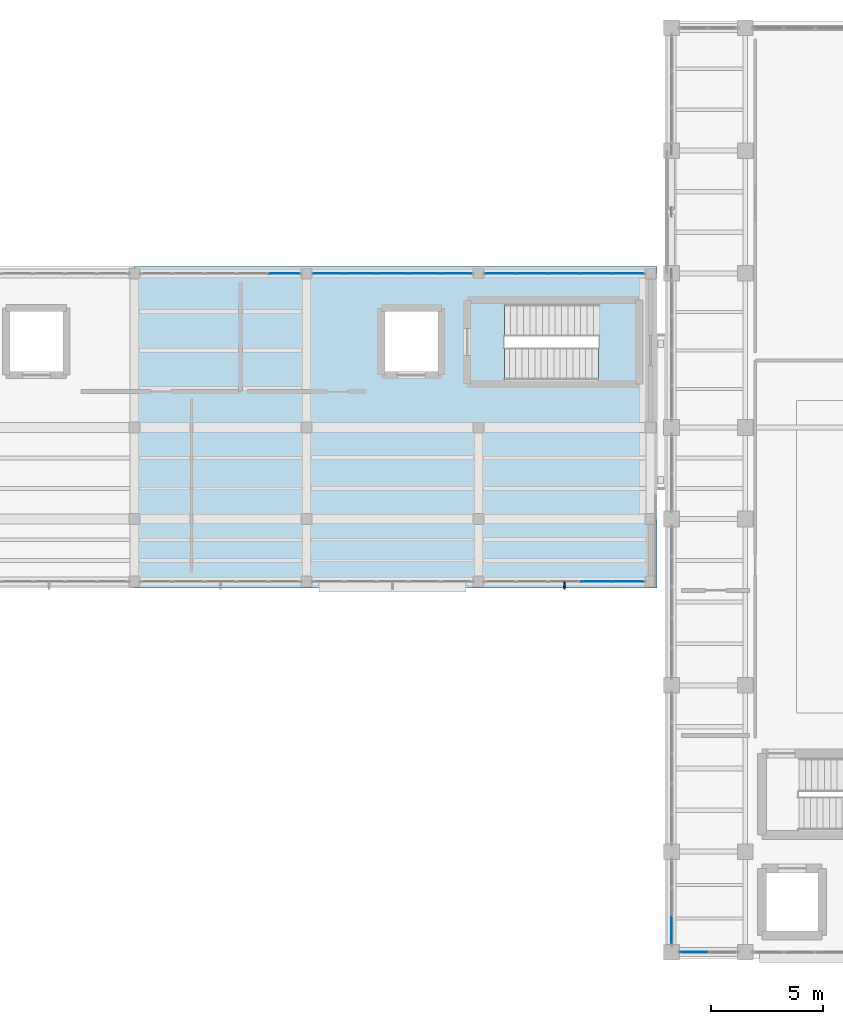
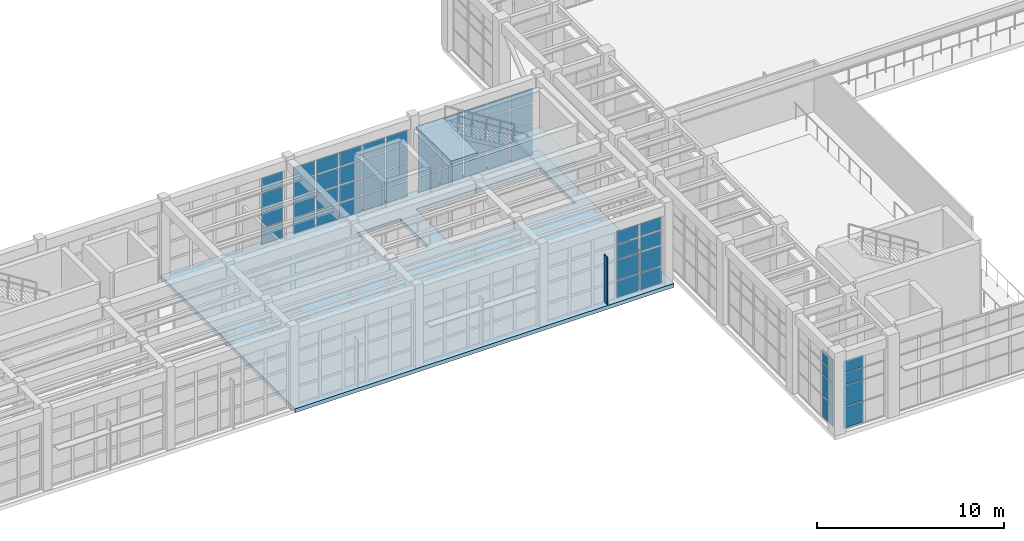
# One storey, part 72 of 103: 61 plates, 3 slabs, 7 elements without a shape of their own.
"""IFC4 building model written with IfcOpenShell, lengths in metres."""

from ifc_helpers import new_model, si_unit, direction, frame, origin, origin_2d, place, context, subcontext, project, spatial, polyline, rectangle, outline, extrude, material, layer, layer_set, type_object, element, aggregate, save


model = new_model("IFC4")

# Units and contexts
model_context = context("Model", 3, precision=1e-05, world=origin(), true_north=direction((0.0, 1.0)))
body_context = subcontext(model_context, "Body", "Model", "MODEL_VIEW")
ifc_project = project(units=[si_unit("LENGTHUNIT", "METRE"), si_unit("AREAUNIT", "SQUARE_METRE"), si_unit("VOLUMEUNIT", "CUBIC_METRE"), si_unit("PLANEANGLEUNIT", "RADIAN"), si_unit("MASSUNIT", "GRAM", prefix="KILO")], contexts=[model_context])

# Site, building, storey
site_placement = place(None, origin())
site = spatial("IfcSite", under=ifc_project, at=site_placement, CompositionType="ELEMENT")
building_placement = place(site_placement, origin())
building = spatial("IfcBuilding", under=site, at=building_placement, Name="Candilejo Ridge Gondola Terminal", CompositionType="ELEMENT")
storey_placement = place(building_placement, frame((0.0, 0.0, 9.0)))
storey = spatial("IfcBuildingStorey", under=building, at=storey_placement, Name="L02", CompositionType="ELEMENT", Elevation=9.0)

# Curtain wall, plates
ifc_material_1 = material(Name="Anodised aluminium AA 6063-T6", Category="aluminium")
ifc_layer_1 = layer(ifc_material_1, 0.169921875)
ifc_layer_set_1 = layer_set([ifc_layer_1], Name="ARC-CW-GALLERY-3200-720X449")
curtain_wall_type_1 = type_object("IfcCurtainWallType", Name="ARC-CW-GALLERY-3200-720X449", PredefinedType="NOTDEFINED", material=ifc_layer_set_1)
curtain_wall_1_placement = place(storey_placement, origin())
curtain_wall_1 = element("IfcCurtainWall", 1, at=curtain_wall_1_placement, inside=storey, type_object=curtain_wall_type_1, Name="Curtain wall V3 L02-088", PredefinedType="NOTDEFINED")
ifc_material_2 = material(Name="Low-E laminated double glazing 6+12A+6+1.52PVB+6 mm", Category="glass")
ifc_layer_2 = layer(ifc_material_2, 0.028076171875)
ifc_layer_set_2 = layer_set([ifc_layer_2], Name="ARC-CW-GLAZ-PANEL")
plate_type_1 = type_object("IfcPlateType", Name="ARC-CW-GLAZ-PANEL", PredefinedType="CURTAIN_PANEL", material=ifc_layer_set_2)
plate_1_placement = place(storey_placement, frame((116.561279296875, 36.699951171875, 0.0751953125), z_axis=(0.0, 0.0, 1.0), x_axis=(1.0, 0.0, 0.0)))
plate_1 = element("IfcPlate", 2, at=plate_1_placement, type_object=plate_type_1, Name="CW-72X44 panel 5.1", PredefinedType="CURTAIN_PANEL", context=body_context, shape_type="SweptSolid", body=[
    extrude(rectangle(XDim=1.327392578125, YDim=0.028076171875, at=origin_2d()), origin(), (0.0, 0.0, 1.0), 0.987548828125),
])
plate_2_placement = place(storey_placement, frame((116.561279296875, 36.699951171875, 1.1376953125), z_axis=(0.0, 0.0, 1.0), x_axis=(1.0, 0.0, 0.0)))
plate_2 = element("IfcPlate", 3, at=plate_2_placement, type_object=plate_type_1, Name="CW-72X44 panel 5.2", PredefinedType="CURTAIN_PANEL", context=body_context, shape_type="SweptSolid", body=[
    extrude(rectangle(XDim=1.327392578125, YDim=0.028076171875, at=origin_2d()), origin(), (0.0, 0.0, 1.0), 1.074951171875),
])
plate_3_placement = place(storey_placement, frame((116.561279296875, 36.699951171875, 2.28759765625), z_axis=(0.0, 0.0, 1.0), x_axis=(1.0, 0.0, 0.0)))
plate_3 = element("IfcPlate", 4, at=plate_3_placement, type_object=plate_type_1, Name="CW-72X44 panel 5.3", PredefinedType="CURTAIN_PANEL", context=body_context, shape_type="SweptSolid", body=[
    extrude(rectangle(XDim=1.327392578125, YDim=0.028076171875, at=origin_2d()), origin(), (0.0, 0.0, 1.0), 1.125),
])
plate_4_placement = place(storey_placement, frame((116.561279296875, 36.699951171875, 3.4873046875), z_axis=(0.0, 0.0, 1.0), x_axis=(1.0, 0.0, 0.0)))
plate_4 = element("IfcPlate", 5, at=plate_4_placement, type_object=plate_type_1, Name="CW-72X44 panel 5.4", PredefinedType="CURTAIN_PANEL", context=body_context, shape_type="SweptSolid", body=[
    extrude(rectangle(XDim=1.327392578125, YDim=0.028076171875, at=origin_2d()), origin(), (0.0, 0.0, 1.0), 0.927490234375),
])
aggregate(curtain_wall_1, [plate_1, plate_2, plate_3, plate_4])

curtain_wall_2_placement = place(storey_placement, origin())
curtain_wall_2 = element("IfcCurtainWall", 6, at=curtain_wall_2_placement, inside=storey, type_object=curtain_wall_type_1, Name="Curtain wall V3 L02-090", PredefinedType="NOTDEFINED")
plate_5_placement = place(storey_placement, frame((118.538818359375, 36.699951171875, 0.0751953125), z_axis=(0.0, 0.0, 1.0), x_axis=(1.0, 0.0, 0.0)))
plate_5 = element("IfcPlate", 7, at=plate_5_placement, type_object=plate_type_1, Name="CW-72X44 panel 1.1", PredefinedType="CURTAIN_PANEL", context=body_context, shape_type="SweptSolid", body=[
    extrude(rectangle(XDim=1.327392578125, YDim=0.028076171875, at=origin_2d()), origin(), (0.0, 0.0, 1.0), 0.987548828125),
])
plate_6_placement = place(storey_placement, frame((118.538818359375, 36.699951171875, 1.1376953125), z_axis=(0.0, 0.0, 1.0), x_axis=(1.0, 0.0, 0.0)))
plate_6 = element("IfcPlate", 8, at=plate_6_placement, type_object=plate_type_1, Name="CW-72X44 panel 1.2", PredefinedType="CURTAIN_PANEL", context=body_context, shape_type="SweptSolid", body=[
    extrude(rectangle(XDim=1.327392578125, YDim=0.028076171875, at=origin_2d()), origin(), (0.0, 0.0, 1.0), 1.074951171875),
])
plate_7_placement = place(storey_placement, frame((118.538818359375, 36.699951171875, 2.28759765625), z_axis=(0.0, 0.0, 1.0), x_axis=(1.0, 0.0, 0.0)))
plate_7 = element("IfcPlate", 9, at=plate_7_placement, type_object=plate_type_1, Name="CW-72X44 panel 1.3", PredefinedType="CURTAIN_PANEL", context=body_context, shape_type="SweptSolid", body=[
    extrude(rectangle(XDim=1.327392578125, YDim=0.028076171875, at=origin_2d()), origin(), (0.0, 0.0, 1.0), 1.125),
])
plate_8_placement = place(storey_placement, frame((118.538818359375, 36.699951171875, 3.4873046875), z_axis=(0.0, 0.0, 1.0), x_axis=(1.0, 0.0, 0.0)))
plate_8 = element("IfcPlate", 10, at=plate_8_placement, type_object=plate_type_1, Name="CW-72X44 panel 1.4", PredefinedType="CURTAIN_PANEL", context=body_context, shape_type="SweptSolid", body=[
    extrude(rectangle(XDim=1.327392578125, YDim=0.028076171875, at=origin_2d()), origin(), (0.0, 0.0, 1.0), 0.927490234375),
])
plate_9_placement = place(storey_placement, frame((119.9599609375, 36.699951171875, 0.0751953125), z_axis=(0.0, 0.0, 1.0), x_axis=(1.0, 0.0, 0.0)))
plate_9 = element("IfcPlate", 11, at=plate_9_placement, type_object=plate_type_1, Name="CW-72X44 panel 2.1", PredefinedType="CURTAIN_PANEL", context=body_context, shape_type="SweptSolid", body=[
    extrude(rectangle(XDim=1.364990234375, YDim=0.028076171875, at=origin_2d()), origin(), (0.0, 0.0, 1.0), 0.987548828125),
])
plate_10_placement = place(storey_placement, frame((119.9599609375, 36.699951171875, 1.1376953125), z_axis=(0.0, 0.0, 1.0), x_axis=(1.0, 0.0, 0.0)))
plate_10 = element("IfcPlate", 12, at=plate_10_placement, type_object=plate_type_1, Name="CW-72X44 panel 2.2", PredefinedType="CURTAIN_PANEL", context=body_context, shape_type="SweptSolid", body=[
    extrude(rectangle(XDim=1.364990234375, YDim=0.028076171875, at=origin_2d()), origin(), (0.0, 0.0, 1.0), 1.074951171875),
])
plate_11_placement = place(storey_placement, frame((119.9599609375, 36.699951171875, 2.28759765625), z_axis=(0.0, 0.0, 1.0), x_axis=(1.0, 0.0, 0.0)))
plate_11 = element("IfcPlate", 13, at=plate_11_placement, type_object=plate_type_1, Name="CW-72X44 panel 2.3", PredefinedType="CURTAIN_PANEL", context=body_context, shape_type="SweptSolid", body=[
    extrude(rectangle(XDim=1.364990234375, YDim=0.028076171875, at=origin_2d()), origin(), (0.0, 0.0, 1.0), 1.125),
])
plate_12_placement = place(storey_placement, frame((119.9599609375, 36.699951171875, 3.4873046875), z_axis=(0.0, 0.0, 1.0), x_axis=(1.0, 0.0, 0.0)))
plate_12 = element("IfcPlate", 14, at=plate_12_placement, type_object=plate_type_1, Name="CW-72X44 panel 2.4", PredefinedType="CURTAIN_PANEL", context=body_context, shape_type="SweptSolid", body=[
    extrude(rectangle(XDim=1.364990234375, YDim=0.028076171875, at=origin_2d()), origin(), (0.0, 0.0, 1.0), 0.927490234375),
])
plate_13_placement = place(storey_placement, frame((121.39990234375, 36.699951171875, 0.0751953125), z_axis=(0.0, 0.0, 1.0), x_axis=(1.0, 0.0, 0.0)))
plate_13 = element("IfcPlate", 15, at=plate_13_placement, type_object=plate_type_1, Name="CW-72X44 panel 3.1", PredefinedType="CURTAIN_PANEL", context=body_context, shape_type="SweptSolid", body=[
    extrude(rectangle(XDim=1.364990234375, YDim=0.028076171875, at=origin_2d()), origin(), (0.0, 0.0, 1.0), 0.987548828125),
])
plate_14_placement = place(storey_placement, frame((121.39990234375, 36.699951171875, 1.1376953125), z_axis=(0.0, 0.0, 1.0), x_axis=(1.0, 0.0, 0.0)))
plate_14 = element("IfcPlate", 16, at=plate_14_placement, type_object=plate_type_1, Name="CW-72X44 panel 3.2", PredefinedType="CURTAIN_PANEL", context=body_context, shape_type="SweptSolid", body=[
    extrude(rectangle(XDim=1.364990234375, YDim=0.028076171875, at=origin_2d()), origin(), (0.0, 0.0, 1.0), 1.074951171875),
])
plate_15_placement = place(storey_placement, frame((121.39990234375, 36.699951171875, 2.28759765625), z_axis=(0.0, 0.0, 1.0), x_axis=(1.0, 0.0, 0.0)))
plate_15 = element("IfcPlate", 17, at=plate_15_placement, type_object=plate_type_1, Name="CW-72X44 panel 3.3", PredefinedType="CURTAIN_PANEL", context=body_context, shape_type="SweptSolid", body=[
    extrude(rectangle(XDim=1.364990234375, YDim=0.028076171875, at=origin_2d()), origin(), (0.0, 0.0, 1.0), 1.125),
])
plate_16_placement = place(storey_placement, frame((121.39990234375, 36.699951171875, 3.4873046875), z_axis=(0.0, 0.0, 1.0), x_axis=(1.0, 0.0, 0.0)))
plate_16 = element("IfcPlate", 18, at=plate_16_placement, type_object=plate_type_1, Name="CW-72X44 panel 3.4", PredefinedType="CURTAIN_PANEL", context=body_context, shape_type="SweptSolid", body=[
    extrude(rectangle(XDim=1.364990234375, YDim=0.028076171875, at=origin_2d()), origin(), (0.0, 0.0, 1.0), 0.927490234375),
])
plate_17_placement = place(storey_placement, frame((122.840087890625, 36.699951171875, 0.0751953125), z_axis=(0.0, 0.0, 1.0), x_axis=(1.0, 0.0, 0.0)))
plate_17 = element("IfcPlate", 19, at=plate_17_placement, type_object=plate_type_1, Name="CW-72X44 panel 4.1", PredefinedType="CURTAIN_PANEL", context=body_context, shape_type="SweptSolid", body=[
    extrude(rectangle(XDim=1.364990234375, YDim=0.028076171875, at=origin_2d()), origin(), (0.0, 0.0, 1.0), 0.987548828125),
])
plate_18_placement = place(storey_placement, frame((122.840087890625, 36.699951171875, 1.1376953125), z_axis=(0.0, 0.0, 1.0), x_axis=(1.0, 0.0, 0.0)))
plate_18 = element("IfcPlate", 20, at=plate_18_placement, type_object=plate_type_1, Name="CW-72X44 panel 4.2", PredefinedType="CURTAIN_PANEL", context=body_context, shape_type="SweptSolid", body=[
    extrude(rectangle(XDim=1.364990234375, YDim=0.028076171875, at=origin_2d()), origin(), (0.0, 0.0, 1.0), 1.074951171875),
])
plate_19_placement = place(storey_placement, frame((122.840087890625, 36.699951171875, 2.28759765625), z_axis=(0.0, 0.0, 1.0), x_axis=(1.0, 0.0, 0.0)))
plate_19 = element("IfcPlate", 21, at=plate_19_placement, type_object=plate_type_1, Name="CW-72X44 panel 4.3", PredefinedType="CURTAIN_PANEL", context=body_context, shape_type="SweptSolid", body=[
    extrude(rectangle(XDim=1.364990234375, YDim=0.028076171875, at=origin_2d()), origin(), (0.0, 0.0, 1.0), 1.125),
])
plate_20_placement = place(storey_placement, frame((122.840087890625, 36.699951171875, 3.4873046875), z_axis=(0.0, 0.0, 1.0), x_axis=(1.0, 0.0, 0.0)))
plate_20 = element("IfcPlate", 22, at=plate_20_placement, type_object=plate_type_1, Name="CW-72X44 panel 4.4", PredefinedType="CURTAIN_PANEL", context=body_context, shape_type="SweptSolid", body=[
    extrude(rectangle(XDim=1.364990234375, YDim=0.028076171875, at=origin_2d()), origin(), (0.0, 0.0, 1.0), 0.927490234375),
])
plate_21_placement = place(storey_placement, frame((124.26123046875, 36.699951171875, 0.0751953125), z_axis=(0.0, 0.0, 1.0), x_axis=(1.0, 0.0, 0.0)))
plate_21 = element("IfcPlate", 23, at=plate_21_placement, type_object=plate_type_1, Name="CW-72X44 panel 5.1", PredefinedType="CURTAIN_PANEL", context=body_context, shape_type="SweptSolid", body=[
    extrude(rectangle(XDim=1.327392578125, YDim=0.028076171875, at=origin_2d()), origin(), (0.0, 0.0, 1.0), 0.987548828125),
])
plate_22_placement = place(storey_placement, frame((124.26123046875, 36.699951171875, 1.1376953125), z_axis=(0.0, 0.0, 1.0), x_axis=(1.0, 0.0, 0.0)))
plate_22 = element("IfcPlate", 24, at=plate_22_placement, type_object=plate_type_1, Name="CW-72X44 panel 5.2", PredefinedType="CURTAIN_PANEL", context=body_context, shape_type="SweptSolid", body=[
    extrude(rectangle(XDim=1.327392578125, YDim=0.028076171875, at=origin_2d()), origin(), (0.0, 0.0, 1.0), 1.074951171875),
])
plate_23_placement = place(storey_placement, frame((124.26123046875, 36.699951171875, 2.28759765625), z_axis=(0.0, 0.0, 1.0), x_axis=(1.0, 0.0, 0.0)))
plate_23 = element("IfcPlate", 25, at=plate_23_placement, type_object=plate_type_1, Name="CW-72X44 panel 5.3", PredefinedType="CURTAIN_PANEL", context=body_context, shape_type="SweptSolid", body=[
    extrude(rectangle(XDim=1.327392578125, YDim=0.028076171875, at=origin_2d()), origin(), (0.0, 0.0, 1.0), 1.125),
])
plate_24_placement = place(storey_placement, frame((124.26123046875, 36.699951171875, 3.4873046875), z_axis=(0.0, 0.0, 1.0), x_axis=(1.0, 0.0, 0.0)))
plate_24 = element("IfcPlate", 26, at=plate_24_placement, type_object=plate_type_1, Name="CW-72X44 panel 5.4", PredefinedType="CURTAIN_PANEL", context=body_context, shape_type="SweptSolid", body=[
    extrude(rectangle(XDim=1.327392578125, YDim=0.028076171875, at=origin_2d()), origin(), (0.0, 0.0, 1.0), 0.927490234375),
])
aggregate(curtain_wall_2, [plate_5, plate_6, plate_7, plate_8, plate_9, plate_10, plate_11, plate_12, plate_13, plate_14, plate_15, plate_16, plate_17, plate_18, plate_19, plate_20, plate_21, plate_22, plate_23, plate_24])

curtain_wall_3_placement = place(storey_placement, origin())
curtain_wall_3 = element("IfcCurtainWall", 27, at=curtain_wall_3_placement, inside=storey, type_object=curtain_wall_type_1, Name="Curtain wall V3 L02-092", PredefinedType="NOTDEFINED")
plate_25_placement = place(storey_placement, frame((126.23876953125, 36.699951171875, 0.0751953125), z_axis=(0.0, 0.0, 1.0), x_axis=(1.0, 0.0, 0.0)))
plate_25 = element("IfcPlate", 28, at=plate_25_placement, type_object=plate_type_1, Name="CW-72X44 panel 1.1", PredefinedType="CURTAIN_PANEL", context=body_context, shape_type="SweptSolid", body=[
    extrude(rectangle(XDim=1.327392578125, YDim=0.028076171875, at=origin_2d()), origin(), (0.0, 0.0, 1.0), 0.987548828125),
])
plate_26_placement = place(storey_placement, frame((126.23876953125, 36.699951171875, 1.1376953125), z_axis=(0.0, 0.0, 1.0), x_axis=(1.0, 0.0, 0.0)))
plate_26 = element("IfcPlate", 29, at=plate_26_placement, type_object=plate_type_1, Name="CW-72X44 panel 1.2", PredefinedType="CURTAIN_PANEL", context=body_context, shape_type="SweptSolid", body=[
    extrude(rectangle(XDim=1.327392578125, YDim=0.028076171875, at=origin_2d()), origin(), (0.0, 0.0, 1.0), 1.074951171875),
])
plate_27_placement = place(storey_placement, frame((126.23876953125, 36.699951171875, 2.28759765625), z_axis=(0.0, 0.0, 1.0), x_axis=(1.0, 0.0, 0.0)))
plate_27 = element("IfcPlate", 30, at=plate_27_placement, type_object=plate_type_1, Name="CW-72X44 panel 1.3", PredefinedType="CURTAIN_PANEL", context=body_context, shape_type="SweptSolid", body=[
    extrude(rectangle(XDim=1.327392578125, YDim=0.028076171875, at=origin_2d()), origin(), (0.0, 0.0, 1.0), 1.125),
])
plate_28_placement = place(storey_placement, frame((126.23876953125, 36.699951171875, 3.4873046875), z_axis=(0.0, 0.0, 1.0), x_axis=(1.0, 0.0, 0.0)))
plate_28 = element("IfcPlate", 31, at=plate_28_placement, type_object=plate_type_1, Name="CW-72X44 panel 1.4", PredefinedType="CURTAIN_PANEL", context=body_context, shape_type="SweptSolid", body=[
    extrude(rectangle(XDim=1.327392578125, YDim=0.028076171875, at=origin_2d()), origin(), (0.0, 0.0, 1.0), 0.927490234375),
])
plate_29_placement = place(storey_placement, frame((127.659912109375, 36.699951171875, 0.0751953125), z_axis=(0.0, 0.0, 1.0), x_axis=(1.0, 0.0, 0.0)))
plate_29 = element("IfcPlate", 32, at=plate_29_placement, type_object=plate_type_1, Name="CW-72X44 panel 2.1", PredefinedType="CURTAIN_PANEL", context=body_context, shape_type="SweptSolid", body=[
    extrude(rectangle(XDim=1.364990234375, YDim=0.028076171875, at=origin_2d()), origin(), (0.0, 0.0, 1.0), 0.987548828125),
])
plate_30_placement = place(storey_placement, frame((127.659912109375, 36.699951171875, 1.1376953125), z_axis=(0.0, 0.0, 1.0), x_axis=(1.0, 0.0, 0.0)))
plate_30 = element("IfcPlate", 33, at=plate_30_placement, type_object=plate_type_1, Name="CW-72X44 panel 2.2", PredefinedType="CURTAIN_PANEL", context=body_context, shape_type="SweptSolid", body=[
    extrude(rectangle(XDim=1.364990234375, YDim=0.028076171875, at=origin_2d()), origin(), (0.0, 0.0, 1.0), 1.074951171875),
])
plate_31_placement = place(storey_placement, frame((127.659912109375, 36.699951171875, 2.28759765625), z_axis=(0.0, 0.0, 1.0), x_axis=(1.0, 0.0, 0.0)))
plate_31 = element("IfcPlate", 34, at=plate_31_placement, type_object=plate_type_1, Name="CW-72X44 panel 2.3", PredefinedType="CURTAIN_PANEL", context=body_context, shape_type="SweptSolid", body=[
    extrude(rectangle(XDim=1.364990234375, YDim=0.028076171875, at=origin_2d()), origin(), (0.0, 0.0, 1.0), 1.125),
])
plate_32_placement = place(storey_placement, frame((127.659912109375, 36.699951171875, 3.4873046875), z_axis=(0.0, 0.0, 1.0), x_axis=(1.0, 0.0, 0.0)))
plate_32 = element("IfcPlate", 35, at=plate_32_placement, type_object=plate_type_1, Name="CW-72X44 panel 2.4", PredefinedType="CURTAIN_PANEL", context=body_context, shape_type="SweptSolid", body=[
    extrude(rectangle(XDim=1.364990234375, YDim=0.028076171875, at=origin_2d()), origin(), (0.0, 0.0, 1.0), 0.927490234375),
])
plate_33_placement = place(storey_placement, frame((129.10009765625, 36.699951171875, 0.0751953125), z_axis=(0.0, 0.0, 1.0), x_axis=(1.0, 0.0, 0.0)))
plate_33 = element("IfcPlate", 36, at=plate_33_placement, type_object=plate_type_1, Name="CW-72X44 panel 3.1", PredefinedType="CURTAIN_PANEL", context=body_context, shape_type="SweptSolid", body=[
    extrude(rectangle(XDim=1.364990234375, YDim=0.028076171875, at=origin_2d()), origin(), (0.0, 0.0, 1.0), 0.987548828125),
])
plate_34_placement = place(storey_placement, frame((129.10009765625, 36.699951171875, 1.1376953125), z_axis=(0.0, 0.0, 1.0), x_axis=(1.0, 0.0, 0.0)))
plate_34 = element("IfcPlate", 37, at=plate_34_placement, type_object=plate_type_1, Name="CW-72X44 panel 3.2", PredefinedType="CURTAIN_PANEL", context=body_context, shape_type="SweptSolid", body=[
    extrude(rectangle(XDim=1.364990234375, YDim=0.028076171875, at=origin_2d()), origin(), (0.0, 0.0, 1.0), 1.074951171875),
])
plate_35_placement = place(storey_placement, frame((129.10009765625, 36.699951171875, 2.28759765625), z_axis=(0.0, 0.0, 1.0), x_axis=(1.0, 0.0, 0.0)))
plate_35 = element("IfcPlate", 38, at=plate_35_placement, type_object=plate_type_1, Name="CW-72X44 panel 3.3", PredefinedType="CURTAIN_PANEL", context=body_context, shape_type="SweptSolid", body=[
    extrude(rectangle(XDim=1.364990234375, YDim=0.028076171875, at=origin_2d()), origin(), (0.0, 0.0, 1.0), 1.125),
])
plate_36_placement = place(storey_placement, frame((129.10009765625, 36.699951171875, 3.4873046875), z_axis=(0.0, 0.0, 1.0), x_axis=(1.0, 0.0, 0.0)))
plate_36 = element("IfcPlate", 39, at=plate_36_placement, type_object=plate_type_1, Name="CW-72X44 panel 3.4", PredefinedType="CURTAIN_PANEL", context=body_context, shape_type="SweptSolid", body=[
    extrude(rectangle(XDim=1.364990234375, YDim=0.028076171875, at=origin_2d()), origin(), (0.0, 0.0, 1.0), 0.927490234375),
])
plate_37_placement = place(storey_placement, frame((130.5400390625, 36.699951171875, 0.0751953125), z_axis=(0.0, 0.0, 1.0), x_axis=(1.0, 0.0, 0.0)))
plate_37 = element("IfcPlate", 40, at=plate_37_placement, type_object=plate_type_1, Name="CW-72X44 panel 4.1", PredefinedType="CURTAIN_PANEL", context=body_context, shape_type="SweptSolid", body=[
    extrude(rectangle(XDim=1.364990234375, YDim=0.028076171875, at=origin_2d()), origin(), (0.0, 0.0, 1.0), 0.987548828125),
])
plate_38_placement = place(storey_placement, frame((130.5400390625, 36.699951171875, 1.1376953125), z_axis=(0.0, 0.0, 1.0), x_axis=(1.0, 0.0, 0.0)))
plate_38 = element("IfcPlate", 41, at=plate_38_placement, type_object=plate_type_1, Name="CW-72X44 panel 4.2", PredefinedType="CURTAIN_PANEL", context=body_context, shape_type="SweptSolid", body=[
    extrude(rectangle(XDim=1.364990234375, YDim=0.028076171875, at=origin_2d()), origin(), (0.0, 0.0, 1.0), 1.074951171875),
])
plate_39_placement = place(storey_placement, frame((130.5400390625, 36.699951171875, 2.28759765625), z_axis=(0.0, 0.0, 1.0), x_axis=(1.0, 0.0, 0.0)))
plate_39 = element("IfcPlate", 42, at=plate_39_placement, type_object=plate_type_1, Name="CW-72X44 panel 4.3", PredefinedType="CURTAIN_PANEL", context=body_context, shape_type="SweptSolid", body=[
    extrude(rectangle(XDim=1.364990234375, YDim=0.028076171875, at=origin_2d()), origin(), (0.0, 0.0, 1.0), 1.125),
])
plate_40_placement = place(storey_placement, frame((130.5400390625, 36.699951171875, 3.4873046875), z_axis=(0.0, 0.0, 1.0), x_axis=(1.0, 0.0, 0.0)))
plate_40 = element("IfcPlate", 43, at=plate_40_placement, type_object=plate_type_1, Name="CW-72X44 panel 4.4", PredefinedType="CURTAIN_PANEL", context=body_context, shape_type="SweptSolid", body=[
    extrude(rectangle(XDim=1.364990234375, YDim=0.028076171875, at=origin_2d()), origin(), (0.0, 0.0, 1.0), 0.927490234375),
])
plate_41_placement = place(storey_placement, frame((131.961181640625, 36.699951171875, 0.0751953125), z_axis=(0.0, 0.0, 1.0), x_axis=(1.0, 0.0, 0.0)))
plate_41 = element("IfcPlate", 44, at=plate_41_placement, type_object=plate_type_1, Name="CW-72X44 panel 5.1", PredefinedType="CURTAIN_PANEL", context=body_context, shape_type="SweptSolid", body=[
    extrude(rectangle(XDim=1.327392578125, YDim=0.028076171875, at=origin_2d()), origin(), (0.0, 0.0, 1.0), 0.987548828125),
])
plate_42_placement = place(storey_placement, frame((131.961181640625, 36.699951171875, 1.1376953125), z_axis=(0.0, 0.0, 1.0), x_axis=(1.0, 0.0, 0.0)))
plate_42 = element("IfcPlate", 45, at=plate_42_placement, type_object=plate_type_1, Name="CW-72X44 panel 5.2", PredefinedType="CURTAIN_PANEL", context=body_context, shape_type="SweptSolid", body=[
    extrude(rectangle(XDim=1.327392578125, YDim=0.028076171875, at=origin_2d()), origin(), (0.0, 0.0, 1.0), 1.074951171875),
])
plate_43_placement = place(storey_placement, frame((131.961181640625, 36.699951171875, 2.28759765625), z_axis=(0.0, 0.0, 1.0), x_axis=(1.0, 0.0, 0.0)))
plate_43 = element("IfcPlate", 46, at=plate_43_placement, type_object=plate_type_1, Name="CW-72X44 panel 5.3", PredefinedType="CURTAIN_PANEL", context=body_context, shape_type="SweptSolid", body=[
    extrude(rectangle(XDim=1.327392578125, YDim=0.028076171875, at=origin_2d()), origin(), (0.0, 0.0, 1.0), 1.125),
])
plate_44_placement = place(storey_placement, frame((131.961181640625, 36.699951171875, 3.4873046875), z_axis=(0.0, 0.0, 1.0), x_axis=(1.0, 0.0, 0.0)))
plate_44 = element("IfcPlate", 47, at=plate_44_placement, type_object=plate_type_1, Name="CW-72X44 panel 5.4", PredefinedType="CURTAIN_PANEL", context=body_context, shape_type="SweptSolid", body=[
    extrude(rectangle(XDim=1.327392578125, YDim=0.028076171875, at=origin_2d()), origin(), (0.0, 0.0, 1.0), 0.927490234375),
])
aggregate(curtain_wall_3, [plate_25, plate_26, plate_27, plate_28, plate_29, plate_30, plate_31, plate_32, plate_33, plate_34, plate_35, plate_36, plate_37, plate_38, plate_39, plate_40, plate_41, plate_42, plate_43, plate_44])

ifc_material_3 = material(Name="Anodised aluminium AA 6063-T6", Category="aluminium")
ifc_layer_3 = layer(ifc_material_3, 0.169921875)
ifc_layer_set_3 = layer_set([ifc_layer_3], Name="ARC-CW-CONCOURSE-3600-720X449")
curtain_wall_type_2 = type_object("IfcCurtainWallType", Name="ARC-CW-CONCOURSE-3600-720X449", PredefinedType="NOTDEFINED", material=ifc_layer_set_3)
curtain_wall_4_placement = place(storey_placement, origin())
curtain_wall_4 = element("IfcCurtainWall", 48, at=curtain_wall_4_placement, inside=storey, type_object=curtain_wall_type_2, Name="Curtain wall V3 L02-093", PredefinedType="NOTDEFINED")
plate_45_placement = place(storey_placement, frame((130.5400390625, 22.89990234375, 0.074951171875), z_axis=(0.0, 0.0, 1.0), x_axis=(1.0, 0.0, 0.0)))
plate_45 = element("IfcPlate", 49, at=plate_45_placement, type_object=plate_type_1, Name="CW-72X44 panel 4.1", PredefinedType="CURTAIN_PANEL", context=body_context, shape_type="SweptSolid", body=[
    extrude(rectangle(XDim=1.364990234375, YDim=0.028076171875, at=origin_2d()), origin(), (0.0, 0.0, 1.0), 1.08740234375),
])
plate_46_placement = place(storey_placement, frame((130.5400390625, 22.89990234375, 1.237548828125), z_axis=(0.0, 0.0, 1.0), x_axis=(1.0, 0.0, 0.0)))
plate_46 = element("IfcPlate", 50, at=plate_46_placement, type_object=plate_type_1, Name="CW-72X44 panel 4.2", PredefinedType="CURTAIN_PANEL", context=body_context, shape_type="SweptSolid", body=[
    extrude(rectangle(XDim=1.364990234375, YDim=0.028076171875, at=origin_2d()), origin(), (0.0, 0.0, 1.0), 1.27490234375),
])
plate_47_placement = place(storey_placement, frame((130.5400390625, 22.89990234375, 2.58740234375), z_axis=(0.0, 0.0, 1.0), x_axis=(1.0, 0.0, 0.0)))
plate_47 = element("IfcPlate", 51, at=plate_47_placement, type_object=plate_type_1, Name="CW-72X44 panel 4.3", PredefinedType="CURTAIN_PANEL", context=body_context, shape_type="SweptSolid", body=[
    extrude(rectangle(XDim=1.364990234375, YDim=0.028076171875, at=origin_2d()), origin(), (0.0, 0.0, 1.0), 0.925048828125),
])
plate_48_placement = place(storey_placement, frame((130.5400390625, 22.89990234375, 3.58740234375), z_axis=(0.0, 0.0, 1.0), x_axis=(1.0, 0.0, 0.0)))
plate_48 = element("IfcPlate", 52, at=plate_48_placement, type_object=plate_type_1, Name="CW-72X44 panel 4.4", PredefinedType="CURTAIN_PANEL", context=body_context, shape_type="SweptSolid", body=[
    extrude(rectangle(XDim=1.364990234375, YDim=0.028076171875, at=origin_2d()), origin(), (0.0, 0.0, 1.0), 0.827392578125),
])
plate_49_placement = place(storey_placement, frame((131.961181640625, 22.89990234375, 0.074951171875), z_axis=(0.0, 0.0, 1.0), x_axis=(1.0, 0.0, 0.0)))
plate_49 = element("IfcPlate", 53, at=plate_49_placement, type_object=plate_type_1, Name="CW-72X44 panel 5.1", PredefinedType="CURTAIN_PANEL", context=body_context, shape_type="SweptSolid", body=[
    extrude(rectangle(XDim=1.327392578125, YDim=0.028076171875, at=origin_2d()), origin(), (0.0, 0.0, 1.0), 1.08740234375),
])
plate_50_placement = place(storey_placement, frame((131.961181640625, 22.89990234375, 1.237548828125), z_axis=(0.0, 0.0, 1.0), x_axis=(1.0, 0.0, 0.0)))
plate_50 = element("IfcPlate", 54, at=plate_50_placement, type_object=plate_type_1, Name="CW-72X44 panel 5.2", PredefinedType="CURTAIN_PANEL", context=body_context, shape_type="SweptSolid", body=[
    extrude(rectangle(XDim=1.327392578125, YDim=0.028076171875, at=origin_2d()), origin(), (0.0, 0.0, 1.0), 1.27490234375),
])
plate_51_placement = place(storey_placement, frame((131.961181640625, 22.89990234375, 2.58740234375), z_axis=(0.0, 0.0, 1.0), x_axis=(1.0, 0.0, 0.0)))
plate_51 = element("IfcPlate", 55, at=plate_51_placement, type_object=plate_type_1, Name="CW-72X44 panel 5.3", PredefinedType="CURTAIN_PANEL", context=body_context, shape_type="SweptSolid", body=[
    extrude(rectangle(XDim=1.327392578125, YDim=0.028076171875, at=origin_2d()), origin(), (0.0, 0.0, 1.0), 0.925048828125),
])
plate_52_placement = place(storey_placement, frame((131.961181640625, 22.89990234375, 3.58740234375), z_axis=(0.0, 0.0, 1.0), x_axis=(1.0, 0.0, 0.0)))
plate_52 = element("IfcPlate", 56, at=plate_52_placement, type_object=plate_type_1, Name="CW-72X44 panel 5.4", PredefinedType="CURTAIN_PANEL", context=body_context, shape_type="SweptSolid", body=[
    extrude(rectangle(XDim=1.327392578125, YDim=0.028076171875, at=origin_2d()), origin(), (0.0, 0.0, 1.0), 0.827392578125),
])
aggregate(curtain_wall_4, [plate_45, plate_46, plate_47, plate_48, plate_49, plate_50, plate_51, plate_52])

ifc_material_4 = material(Name="Anodised aluminium AA 6063-T6", Category="aluminium")
ifc_layer_4 = layer(ifc_material_4, 0.169921875)
ifc_layer_set_4 = layer_set([ifc_layer_4], Name="ARC-CW-HALL-3800-385X449")
curtain_wall_type_3 = type_object("IfcCurtainWallType", Name="ARC-CW-HALL-3800-385X449", PredefinedType="NOTDEFINED", material=ifc_layer_set_4)
curtain_wall_5_placement = place(storey_placement, origin())
curtain_wall_5 = element("IfcCurtainWall", 57, at=curtain_wall_5_placement, inside=storey, type_object=curtain_wall_type_3, Name="Curtain wall V4 L02-132", PredefinedType="NOTDEFINED")
plate_53_placement = place(storey_placement, frame((133.89990234375, 7.282958984375, 0.06005859375), z_axis=(0.0, 0.0, 1.0), x_axis=(0.0, 1.0, 0.0)))
plate_53 = element("IfcPlate", 58, at=plate_53_placement, type_object=plate_type_1, Name="CW-38X44 panel 1.1", PredefinedType="CURTAIN_PANEL", context=body_context, shape_type="SweptSolid", body=[
    extrude(rectangle(XDim=1.185791015625, YDim=0.028076171875, at=origin_2d()), origin(), (0.0, 0.0, 1.0), 1.360107421875),
])
plate_54_placement = place(storey_placement, frame((133.89990234375, 7.282958984375, 1.47998046875), z_axis=(0.0, 0.0, 1.0), x_axis=(0.0, 1.0, 0.0)))
plate_54 = element("IfcPlate", 59, at=plate_54_placement, type_object=plate_type_1, Name="CW-38X44 panel 1.2", PredefinedType="CURTAIN_PANEL", context=body_context, shape_type="SweptSolid", body=[
    extrude(rectangle(XDim=1.185791015625, YDim=0.028076171875, at=origin_2d()), origin(), (0.0, 0.0, 1.0), 1.340087890625),
])
plate_55_placement = place(storey_placement, frame((133.89990234375, 7.282958984375, 2.8798828125), z_axis=(0.0, 0.0, 1.0), x_axis=(0.0, 1.0, 0.0)))
plate_55 = element("IfcPlate", 60, at=plate_55_placement, type_object=plate_type_1, Name="CW-38X44 panel 1.3", PredefinedType="CURTAIN_PANEL", context=body_context, shape_type="SweptSolid", body=[
    extrude(rectangle(XDim=1.185791015625, YDim=0.028076171875, at=origin_2d()), origin(), (0.0, 0.0, 1.0), 0.739990234375),
])
plate_56_placement = place(storey_placement, frame((133.89990234375, 7.282958984375, 3.679931640625), z_axis=(0.0, 0.0, 1.0), x_axis=(0.0, 1.0, 0.0)))
plate_56 = element("IfcPlate", 61, at=plate_56_placement, type_object=plate_type_1, Name="CW-38X44 panel 1.4", PredefinedType="CURTAIN_PANEL", context=body_context, shape_type="SweptSolid", body=[
    extrude(rectangle(XDim=1.185791015625, YDim=0.028076171875, at=origin_2d()), origin(), (0.0, 0.0, 1.0), 0.75),
])
aggregate(curtain_wall_5, [plate_53, plate_54, plate_55, plate_56])

ifc_material_5 = material(Name="Anodised aluminium AA 6063-T6", Category="aluminium")
ifc_layer_5 = layer(ifc_material_5, 0.169921875)
ifc_layer_set_5 = layer_set([ifc_layer_5], Name="ARC-CW-HALL-3800-265X449")
curtain_wall_type_4 = type_object("IfcCurtainWallType", Name="ARC-CW-HALL-3800-265X449", PredefinedType="NOTDEFINED", material=ifc_layer_set_5)
curtain_wall_6_placement = place(storey_placement, origin())
curtain_wall_6 = element("IfcCurtainWall", 62, at=curtain_wall_6_placement, inside=storey, type_object=curtain_wall_type_4, Name="Curtain wall V4 L02-144", PredefinedType="NOTDEFINED")
plate_57_placement = place(storey_placement, frame((134.90380859375, 6.300048828125, 0.06005859375), z_axis=(0.0, 0.0, 1.0), x_axis=(1.0, 0.0, 0.0)))
plate_57 = element("IfcPlate", 63, at=plate_57_placement, type_object=plate_type_1, Name="CW-26X44 panel 1.1", PredefinedType="CURTAIN_PANEL", context=body_context, shape_type="SweptSolid", body=[
    extrude(rectangle(XDim=1.2275390625, YDim=0.028076171875, at=origin_2d()), origin(), (0.0, 0.0, 1.0), 1.360107421875),
])
plate_58_placement = place(storey_placement, frame((134.90380859375, 6.300048828125, 1.47998046875), z_axis=(0.0, 0.0, 1.0), x_axis=(1.0, 0.0, 0.0)))
plate_58 = element("IfcPlate", 64, at=plate_58_placement, type_object=plate_type_1, Name="CW-26X44 panel 1.2", PredefinedType="CURTAIN_PANEL", context=body_context, shape_type="SweptSolid", body=[
    extrude(rectangle(XDim=1.2275390625, YDim=0.028076171875, at=origin_2d()), origin(), (0.0, 0.0, 1.0), 1.340087890625),
])
plate_59_placement = place(storey_placement, frame((134.90380859375, 6.300048828125, 2.8798828125), z_axis=(0.0, 0.0, 1.0), x_axis=(1.0, 0.0, 0.0)))
plate_59 = element("IfcPlate", 65, at=plate_59_placement, type_object=plate_type_1, Name="CW-26X44 panel 1.3", PredefinedType="CURTAIN_PANEL", context=body_context, shape_type="SweptSolid", body=[
    extrude(rectangle(XDim=1.2275390625, YDim=0.028076171875, at=origin_2d()), origin(), (0.0, 0.0, 1.0), 0.739990234375),
])
plate_60_placement = place(storey_placement, frame((134.90380859375, 6.300048828125, 3.679931640625), z_axis=(0.0, 0.0, 1.0), x_axis=(1.0, 0.0, 0.0)))
plate_60 = element("IfcPlate", 66, at=plate_60_placement, type_object=plate_type_1, Name="CW-26X44 panel 1.4", PredefinedType="CURTAIN_PANEL", context=body_context, shape_type="SweptSolid", body=[
    extrude(rectangle(XDim=1.2275390625, YDim=0.028076171875, at=origin_2d()), origin(), (0.0, 0.0, 1.0), 0.75),
])
aggregate(curtain_wall_6, [plate_57, plate_58, plate_59, plate_60])

# Plate
ifc_material_6 = material(Name="Extruded architectural terracotta fin", Category="masonry")
plate_type_2 = type_object("IfcPlateType", Name="ARC-SOLAR-FIN-340", PredefinedType="USERDEFINED", material=ifc_material_6)
plate_61_placement = place(storey_placement, frame((129.10009765625, 22.716064453125, 0.099853515625), z_axis=(0.0, 0.0, 1.0), x_axis=(1.0, 0.0, 0.0)))
element("IfcPlate", 67, at=plate_61_placement, inside=storey, type_object=plate_type_2, Name="Terracotta solar fin V3-29", ObjectType="SOLAR FIN", PredefinedType="USERDEFINED", context=body_context, shape_type="SweptSolid", body=[
    extrude(rectangle(XDim=0.06494140625, YDim=0.340087890625, at=origin_2d()), origin(), (0.0, 0.0, 1.0), 3.10009765625),
])

# Slab
ifc_material_7 = material(Name="Concrete f'c 35 MPa (C35/45)", Category="concrete")
ifc_layer_6 = layer(ifc_material_7, 0.25)
ifc_layer_set_6 = layer_set([ifc_layer_6], Name="STR-FLOOR-SLAB-250")
slab_type_1 = type_object("IfcSlabType", Name="STR-FLOOR-SLAB-250", PredefinedType="FLOOR", material=ifc_layer_set_6)
slab_1_placement = place(storey_placement, frame((0.0, 0.0, -0.25)))
element("IfcSlab", 68, at=slab_1_placement, inside=storey, type_object=slab_type_1, Name="Slab SLB-V3-L02-E", PredefinedType="FLOOR", context=body_context, shape_type="SweptSolid", body=[
    extrude(outline(polyline([(109.85009765625, 22.60009765625), (133.25, 22.60009765625), (133.25, 37.0), (109.85009765625, 37.0), (109.85009765625, 22.60009765625)]), holes=[polyline([(124.75, 31.75), (132.449951171875, 31.75), (132.449951171875, 35.5), (124.75, 35.5), (124.75, 31.75)]), polyline([(120.89990234375, 32.14990234375), (123.60009765625, 32.14990234375), (123.60009765625, 35.14990234375), (120.89990234375, 35.14990234375), (120.89990234375, 32.14990234375)])]), origin(), (0.0, 0.0, 1.0), 0.25),
])

# Stair, slabs
ifc_material_8 = material(Name="Concrete f'c 35 MPa (C35/45)", Category="concrete")
stair_type = type_object("IfcStairType", Name="STR-STAIR-1450-5400", PredefinedType="HALF_TURN_STAIR", material=ifc_material_8)
stair_placement = place(storey_placement, origin())
stair = element("IfcStair", 69, at=stair_placement, inside=storey, type_object=stair_type, Name="Enclosed fire exit stair ST-V3B-L02", PredefinedType="HALF_TURN_STAIR")
ifc_material_9 = material(Name="Concrete f'c 35 MPa (C35/45)", Category="concrete")
ifc_layer_7 = layer(ifc_material_9, 0.199951171875)
ifc_layer_set_7 = layer_set([ifc_layer_7], Name="STR-STAIR-LANDING-200")
slab_type_2 = type_object("IfcSlabType", Name="STR-STAIR-LANDING-200", PredefinedType="LANDING", material=ifc_layer_set_7)
slab_2_placement = place(storey_placement, frame((0.0, 0.0, 2.5)))
slab_2 = element("IfcSlab", 70, at=slab_2_placement, type_object=slab_type_2, Name="Stair half-landing ST-V3B-LND-03", PredefinedType="LANDING", context=body_context, shape_type="SweptSolid", body=[
    extrude(outline(polyline([(130.625, 31.75), (132.449951171875, 31.75), (132.449951171875, 35.5), (130.625, 35.5), (130.625, 31.75)])), origin(), (0.0, 0.0, 1.0), 0.199951171875),
])
slab_3_placement = place(storey_placement, frame((0.0, 0.0, 5.199951171875)))
slab_3 = element("IfcSlab", 71, at=slab_3_placement, type_object=slab_type_2, Name="Stair floor landing ST-V3B-L02-ARR-L03", PredefinedType="LANDING", context=body_context, shape_type="SweptSolid", body=[
    extrude(outline(polyline([(124.75, 31.75), (126.409912109375, 31.75), (126.409912109375, 35.5), (124.75, 35.5), (124.75, 31.75)])), origin(), (0.0, 0.0, 1.0), 0.199951171875),
])
aggregate(stair, [slab_2, slab_3])

save(model, "model.ifc")
